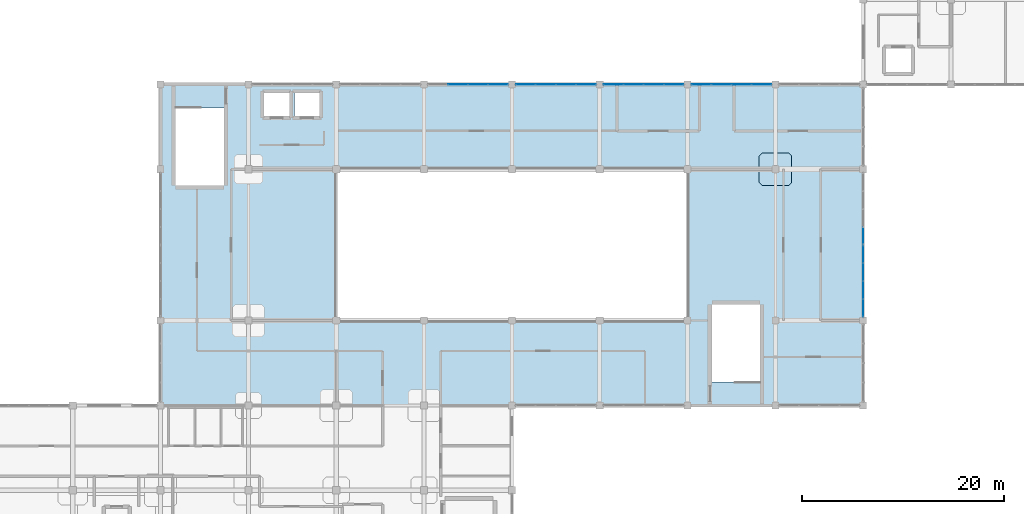
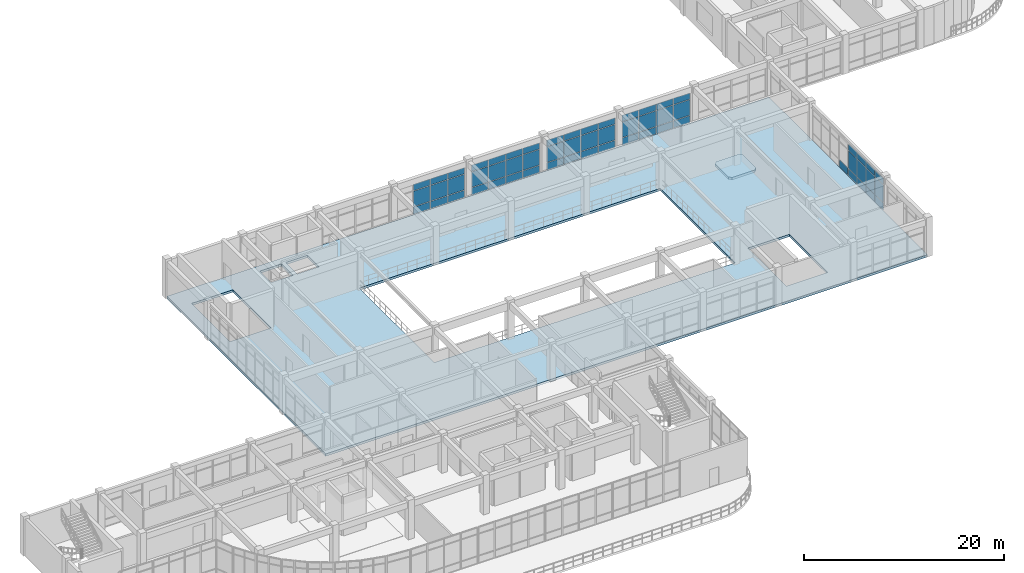
# One storey, part 51 of 64: 58 plates, 2 slabs, 6 elements without a shape of their own.
"""IFC4 building model written with IfcOpenShell, lengths in metres."""

from ifc_helpers import new_model, si_unit, derived_unit, direction, frame, origin, origin_2d, place, context, subcontext, project, spatial, polyline, rectangle, outline, extrude, material, layer, layer_set, type_object, element, aggregate, save


model = new_model("IFC4")

# Units and contexts
model_context = context("Model", 3, precision=1e-05, world=origin(), true_north=direction((0.0, 1.0)))
body_context = subcontext(model_context, "Body", "Model", "MODEL_VIEW")
ifc_project = project(units=[si_unit("LENGTHUNIT", "METRE"), si_unit("AREAUNIT", "SQUARE_METRE"), si_unit("VOLUMEUNIT", "CUBIC_METRE"), si_unit("PLANEANGLEUNIT", "RADIAN"), si_unit("MASSUNIT", "GRAM", prefix="KILO"), derived_unit("THERMALTRANSMITTANCEUNIT", [(si_unit("MASSUNIT", "GRAM", prefix="KILO"), 1), (si_unit("TIMEUNIT", "SECOND"), -3), (si_unit("THERMODYNAMICTEMPERATUREUNIT", "KELVIN"), -1)])], contexts=[model_context])

# Site, building, storey
site_placement = place(None, origin())
site = spatial("IfcSite", under=ifc_project, at=site_placement, CompositionType="ELEMENT")
building_placement = place(site_placement, origin())
building = spatial("IfcBuilding", under=site, at=building_placement, Name="Qinzheling Arcade Emporium", CompositionType="ELEMENT")
storey_placement = place(building_placement, frame((0.0, 0.0, 31.5)))
storey = spatial("IfcBuildingStorey", under=building, at=storey_placement, Name="L07", CompositionType="ELEMENT", Elevation=31.5)

# Slab
ifc_material_1 = material(Name="Concrete C40", Category="concrete")
ifc_layer_1 = layer(ifc_material_1, 0.300048828125, Name="Concrete C40", Category="concrete")
ifc_layer_set_1 = layer_set([ifc_layer_1], Name="Concrete C40")
slab_type_1 = type_object("IfcSlabType", Name="Column Head Drop Panel 3200x3200x300 C40", PredefinedType="USERDEFINED", material=ifc_layer_set_1)
slab_1_placement = place(storey_placement, frame((0.0, 0.0, -0.580078125)))
element("IfcSlab", 1, at=slab_1_placement, inside=storey, type_object=slab_type_1, Name="Column Drop Panel DP-L07-12-H", ObjectType="DROP_PANEL", PredefinedType="USERDEFINED", context=body_context, shape_type="SweptSolid", body=[
    extrude(outline(polyline([(94.3798828125, 63.800048828125), (97.02001953125, 63.800048828125), (97.300048828125, 64.080078125), (97.300048828125, 66.719970703125), (97.02001953125, 67.0), (94.3798828125, 67.0), (94.10009765625, 66.719970703125), (94.10009765625, 64.080078125), (94.3798828125, 63.800048828125)])), origin(), (0.0, 0.0, 1.0), 0.300048828125),
])

# Curtain wall, plates
ifc_material_2 = material(Name="Anodised aluminium and solar-control double glazing", Category="aluminium")
ifc_layer_2 = layer(ifc_material_2, 0.159912109375, Name="Anodised aluminium and solar-control double glazing", Category="aluminium")
ifc_layer_set_2 = layer_set([ifc_layer_2], Name="Anodised aluminium and solar-control double glazing")
curtain_wall_type = type_object("IfcCurtainWallType", Name="Atrium Clerestory Curtain Wall", PredefinedType="NOTDEFINED", material=ifc_layer_set_2)
curtain_wall_1_placement = place(storey_placement, origin())
curtain_wall_1 = element("IfcCurtainWall", 2, at=curtain_wall_1_placement, inside=storey, type_object=curtain_wall_type, Name="Curtain Wall CW-L07-426", PredefinedType="NOTDEFINED")
ifc_material_3 = material(Name="Laminated solar-control double glazing", Category="glass")
ifc_layer_3 = layer(ifc_material_3, 0.02099609375, Name="Laminated solar-control double glazing", Category="glass")
ifc_layer_set_3 = layer_set([ifc_layer_3], Name="Laminated solar-control double glazing")
plate_type_1 = type_object("IfcPlateType", Name="Low-E Double Glazed Curtain Panel 21mm", PredefinedType="CURTAIN_PANEL", material=ifc_layer_set_3)
plate_1_placement = place(storey_placement, frame((104.39990234375, 56.98974609375, 0.06005859375), z_axis=(0.0, 0.0, 1.0), x_axis=(0.0, -1.0, 0.0)))
plate_1 = element("IfcPlate", 3, at=plate_1_placement, type_object=plate_type_1, Name="CW03 panel 1.1", PredefinedType="CURTAIN_PANEL", context=body_context, shape_type="SweptSolid", body=[
    extrude(rectangle(XDim=1.696533203125, YDim=0.02099609375, at=origin_2d()), origin(), (0.0, 0.0, 1.0), 0.860107421875),
])
plate_2_placement = place(storey_placement, frame((104.39990234375, 56.98974609375, 0.97998046875), z_axis=(0.0, 0.0, 1.0), x_axis=(0.0, -1.0, 0.0)))
plate_2 = element("IfcPlate", 4, at=plate_2_placement, type_object=plate_type_1, Name="CW03 panel 1.2", PredefinedType="CURTAIN_PANEL", context=body_context, shape_type="SweptSolid", body=[
    extrude(rectangle(XDim=1.696533203125, YDim=0.02099609375, at=origin_2d()), origin(), (0.0, 0.0, 1.0), 2.156982421875),
])
plate_3_placement = place(storey_placement, frame((104.39990234375, 56.98974609375, 3.19677734375), z_axis=(0.0, 0.0, 1.0), x_axis=(0.0, -1.0, 0.0)))
plate_3 = element("IfcPlate", 5, at=plate_3_placement, type_object=plate_type_1, Name="CW03 panel 1.3", PredefinedType="CURTAIN_PANEL", context=body_context, shape_type="SweptSolid", body=[
    extrude(rectangle(XDim=1.696533203125, YDim=0.02099609375, at=origin_2d()), origin(), (0.0, 0.0, 1.0), 0.760009765625),
])
plate_4_placement = place(storey_placement, frame((104.39990234375, 55.21826171875, 0.06005859375), z_axis=(0.0, 0.0, 1.0), x_axis=(0.0, -1.0, 0.0)))
plate_4 = element("IfcPlate", 6, at=plate_4_placement, type_object=plate_type_1, Name="CW03 panel 2.1", PredefinedType="CURTAIN_PANEL", context=body_context, shape_type="SweptSolid", body=[
    extrude(rectangle(XDim=1.7265625, YDim=0.02099609375, at=origin_2d()), origin(), (0.0, 0.0, 1.0), 0.860107421875),
])
plate_5_placement = place(storey_placement, frame((104.39990234375, 55.21826171875, 0.97998046875), z_axis=(0.0, 0.0, 1.0), x_axis=(0.0, -1.0, 0.0)))
plate_5 = element("IfcPlate", 7, at=plate_5_placement, type_object=plate_type_1, Name="CW03 panel 2.2", PredefinedType="CURTAIN_PANEL", context=body_context, shape_type="SweptSolid", body=[
    extrude(rectangle(XDim=1.7265625, YDim=0.02099609375, at=origin_2d()), origin(), (0.0, 0.0, 1.0), 2.156982421875),
])
plate_6_placement = place(storey_placement, frame((104.39990234375, 55.21826171875, 3.19677734375), z_axis=(0.0, 0.0, 1.0), x_axis=(0.0, -1.0, 0.0)))
plate_6 = element("IfcPlate", 8, at=plate_6_placement, type_object=plate_type_1, Name="CW03 panel 2.3", PredefinedType="CURTAIN_PANEL", context=body_context, shape_type="SweptSolid", body=[
    extrude(rectangle(XDim=1.7265625, YDim=0.02099609375, at=origin_2d()), origin(), (0.0, 0.0, 1.0), 0.760009765625),
])
plate_7_placement = place(storey_placement, frame((104.39990234375, 53.431640625, 0.06005859375), z_axis=(0.0, 0.0, 1.0), x_axis=(0.0, -1.0, 0.0)))
plate_7 = element("IfcPlate", 9, at=plate_7_placement, type_object=plate_type_1, Name="CW03 panel 3.1", PredefinedType="CURTAIN_PANEL", context=body_context, shape_type="SweptSolid", body=[
    extrude(rectangle(XDim=1.7265625, YDim=0.02099609375, at=origin_2d()), origin(), (0.0, 0.0, 1.0), 0.860107421875),
])
plate_8_placement = place(storey_placement, frame((104.39990234375, 53.431640625, 0.97998046875), z_axis=(0.0, 0.0, 1.0), x_axis=(0.0, -1.0, 0.0)))
plate_8 = element("IfcPlate", 10, at=plate_8_placement, type_object=plate_type_1, Name="CW03 panel 3.2", PredefinedType="CURTAIN_PANEL", context=body_context, shape_type="SweptSolid", body=[
    extrude(rectangle(XDim=1.7265625, YDim=0.02099609375, at=origin_2d()), origin(), (0.0, 0.0, 1.0), 2.156982421875),
])
plate_9_placement = place(storey_placement, frame((104.39990234375, 53.431640625, 3.19677734375), z_axis=(0.0, 0.0, 1.0), x_axis=(0.0, -1.0, 0.0)))
plate_9 = element("IfcPlate", 11, at=plate_9_placement, type_object=plate_type_1, Name="CW03 panel 3.3", PredefinedType="CURTAIN_PANEL", context=body_context, shape_type="SweptSolid", body=[
    extrude(rectangle(XDim=1.7265625, YDim=0.02099609375, at=origin_2d()), origin(), (0.0, 0.0, 1.0), 0.760009765625),
])
plate_10_placement = place(storey_placement, frame((104.39990234375, 51.66015625, 0.06005859375), z_axis=(0.0, 0.0, 1.0), x_axis=(0.0, -1.0, 0.0)))
plate_10 = element("IfcPlate", 12, at=plate_10_placement, type_object=plate_type_1, Name="CW03 panel 4.1", PredefinedType="CURTAIN_PANEL", context=body_context, shape_type="SweptSolid", body=[
    extrude(rectangle(XDim=1.696533203125, YDim=0.02099609375, at=origin_2d()), origin(), (0.0, 0.0, 1.0), 0.860107421875),
])
plate_11_placement = place(storey_placement, frame((104.39990234375, 51.66015625, 0.97998046875), z_axis=(0.0, 0.0, 1.0), x_axis=(0.0, -1.0, 0.0)))
plate_11 = element("IfcPlate", 13, at=plate_11_placement, type_object=plate_type_1, Name="CW03 panel 4.2", PredefinedType="CURTAIN_PANEL", context=body_context, shape_type="SweptSolid", body=[
    extrude(rectangle(XDim=1.696533203125, YDim=0.02099609375, at=origin_2d()), origin(), (0.0, 0.0, 1.0), 2.156982421875),
])
plate_12_placement = place(storey_placement, frame((104.39990234375, 51.66015625, 3.19677734375), z_axis=(0.0, 0.0, 1.0), x_axis=(0.0, -1.0, 0.0)))
plate_12 = element("IfcPlate", 14, at=plate_12_placement, type_object=plate_type_1, Name="CW03 panel 4.3", PredefinedType="CURTAIN_PANEL", context=body_context, shape_type="SweptSolid", body=[
    extrude(rectangle(XDim=1.696533203125, YDim=0.02099609375, at=origin_2d()), origin(), (0.0, 0.0, 1.0), 0.760009765625),
])
aggregate(curtain_wall_1, [plate_1, plate_2, plate_3, plate_4, plate_5, plate_6, plate_7, plate_8, plate_9, plate_10, plate_11, plate_12])

curtain_wall_2_placement = place(storey_placement, origin())
curtain_wall_2 = element("IfcCurtainWall", 15, at=curtain_wall_2_placement, inside=storey, type_object=curtain_wall_type, Name="Curtain Wall CW-L07-419", PredefinedType="NOTDEFINED")
ifc_layer_4 = layer(ifc_material_3, 0.031005859375, Name="Laminated solar-control double glazing", Category="glass")
ifc_layer_set_4 = layer_set([ifc_layer_4], Name="Laminated solar-control double glazing")
plate_type_2 = type_object("IfcPlateType", Name="Low-E Double Glazed Curtain Panel 31mm", PredefinedType="CURTAIN_PANEL", material=ifc_layer_set_4)
plate_13_placement = place(storey_placement, frame((64.25048828125, 73.800048828125, 0.06005859375), z_axis=(0.0, 0.0, 1.0), x_axis=(1.0, 0.0, 0.0)))
plate_13 = element("IfcPlate", 16, at=plate_13_placement, type_object=plate_type_2, Name="CW03 panel 2.1", PredefinedType="CURTAIN_PANEL", context=body_context, shape_type="SweptSolid", body=[
    extrude(rectangle(XDim=1.93896484375, YDim=0.031005859375, at=origin_2d()), origin(), (0.0, 0.0, 1.0), 0.860107421875),
])
plate_14_placement = place(storey_placement, frame((64.25048828125, 73.800048828125, 0.97998046875), z_axis=(0.0, 0.0, 1.0), x_axis=(1.0, 0.0, 0.0)))
plate_14 = element("IfcPlate", 17, at=plate_14_placement, type_object=plate_type_2, Name="CW03 panel 2.2", PredefinedType="CURTAIN_PANEL", context=body_context, shape_type="SweptSolid", body=[
    extrude(rectangle(XDim=1.93896484375, YDim=0.031005859375, at=origin_2d()), origin(), (0.0, 0.0, 1.0), 1.89501953125),
])
plate_15_placement = place(storey_placement, frame((64.25048828125, 73.800048828125, 2.93505859375), z_axis=(0.0, 0.0, 1.0), x_axis=(1.0, 0.0, 0.0)))
plate_15 = element("IfcPlate", 18, at=plate_15_placement, type_object=plate_type_2, Name="CW03 panel 2.3", PredefinedType="CURTAIN_PANEL", context=body_context, shape_type="SweptSolid", body=[
    extrude(rectangle(XDim=1.93896484375, YDim=0.031005859375, at=origin_2d()), origin(), (0.0, 0.0, 1.0), 0.760009765625),
])
plate_16_placement = place(storey_placement, frame((66.24951171875, 73.800048828125, 0.06005859375), z_axis=(0.0, 0.0, 1.0), x_axis=(1.0, 0.0, 0.0)))
plate_16 = element("IfcPlate", 19, at=plate_16_placement, type_object=plate_type_2, Name="CW03 panel 3.1", PredefinedType="CURTAIN_PANEL", context=body_context, shape_type="SweptSolid", body=[
    extrude(rectangle(XDim=1.93896484375, YDim=0.031005859375, at=origin_2d()), origin(), (0.0, 0.0, 1.0), 0.860107421875),
])
plate_17_placement = place(storey_placement, frame((66.24951171875, 73.800048828125, 0.97998046875), z_axis=(0.0, 0.0, 1.0), x_axis=(1.0, 0.0, 0.0)))
plate_17 = element("IfcPlate", 20, at=plate_17_placement, type_object=plate_type_2, Name="CW03 panel 3.2", PredefinedType="CURTAIN_PANEL", context=body_context, shape_type="SweptSolid", body=[
    extrude(rectangle(XDim=1.93896484375, YDim=0.031005859375, at=origin_2d()), origin(), (0.0, 0.0, 1.0), 1.89501953125),
])
plate_18_placement = place(storey_placement, frame((66.24951171875, 73.800048828125, 2.93505859375), z_axis=(0.0, 0.0, 1.0), x_axis=(1.0, 0.0, 0.0)))
plate_18 = element("IfcPlate", 21, at=plate_18_placement, type_object=plate_type_2, Name="CW03 panel 3.3", PredefinedType="CURTAIN_PANEL", context=body_context, shape_type="SweptSolid", body=[
    extrude(rectangle(XDim=1.93896484375, YDim=0.031005859375, at=origin_2d()), origin(), (0.0, 0.0, 1.0), 0.760009765625),
])
plate_19_placement = place(storey_placement, frame((68.2333984375, 73.800048828125, 0.06005859375), z_axis=(0.0, 0.0, 1.0), x_axis=(1.0, 0.0, 0.0)))
plate_19 = element("IfcPlate", 22, at=plate_19_placement, type_object=plate_type_2, Name="CW03 panel 4.1", PredefinedType="CURTAIN_PANEL", context=body_context, shape_type="SweptSolid", body=[
    extrude(rectangle(XDim=1.908935546875, YDim=0.031005859375, at=origin_2d()), origin(), (0.0, 0.0, 1.0), 0.860107421875),
])
plate_20_placement = place(storey_placement, frame((68.2333984375, 73.800048828125, 0.97998046875), z_axis=(0.0, 0.0, 1.0), x_axis=(1.0, 0.0, 0.0)))
plate_20 = element("IfcPlate", 23, at=plate_20_placement, type_object=plate_type_2, Name="CW03 panel 4.2", PredefinedType="CURTAIN_PANEL", context=body_context, shape_type="SweptSolid", body=[
    extrude(rectangle(XDim=1.908935546875, YDim=0.031005859375, at=origin_2d()), origin(), (0.0, 0.0, 1.0), 1.89501953125),
])
plate_21_placement = place(storey_placement, frame((68.2333984375, 73.800048828125, 2.93505859375), z_axis=(0.0, 0.0, 1.0), x_axis=(1.0, 0.0, 0.0)))
plate_21 = element("IfcPlate", 24, at=plate_21_placement, type_object=plate_type_2, Name="CW03 panel 4.3", PredefinedType="CURTAIN_PANEL", context=body_context, shape_type="SweptSolid", body=[
    extrude(rectangle(XDim=1.908935546875, YDim=0.031005859375, at=origin_2d()), origin(), (0.0, 0.0, 1.0), 0.760009765625),
])
aggregate(curtain_wall_2, [plate_13, plate_14, plate_15, plate_16, plate_17, plate_18, plate_19, plate_20, plate_21])

curtain_wall_3_placement = place(storey_placement, origin())
curtain_wall_3 = element("IfcCurtainWall", 25, at=curtain_wall_3_placement, inside=storey, type_object=curtain_wall_type, Name="Curtain Wall CW-L07-420", PredefinedType="NOTDEFINED")
ifc_layer_5 = layer(ifc_material_3, 0.031982421875, Name="Laminated solar-control double glazing", Category="glass")
ifc_layer_set_5 = layer_set([ifc_layer_5], Name="Laminated solar-control double glazing")
plate_type_3 = type_object("IfcPlateType", Name="Low-E Double Glazed Curtain Panel 32mm", PredefinedType="CURTAIN_PANEL", material=ifc_layer_set_5)
plate_22_placement = place(storey_placement, frame((70.966552734375, 73.800048828125, 0.06005859375), z_axis=(0.0, 0.0, 1.0), x_axis=(1.0, 0.0, 0.0)))
plate_22 = element("IfcPlate", 26, at=plate_22_placement, type_object=plate_type_3, Name="CW03 panel 1.1", PredefinedType="CURTAIN_PANEL", context=body_context, shape_type="SweptSolid", body=[
    extrude(rectangle(XDim=1.908935546875, YDim=0.031982421875, at=origin_2d()), origin(), (0.0, 0.0, 1.0), 0.860107421875),
])
plate_23_placement = place(storey_placement, frame((70.966552734375, 73.800048828125, 0.97998046875), z_axis=(0.0, 0.0, 1.0), x_axis=(1.0, 0.0, 0.0)))
plate_23 = element("IfcPlate", 27, at=plate_23_placement, type_object=plate_type_3, Name="CW03 panel 1.2", PredefinedType="CURTAIN_PANEL", context=body_context, shape_type="SweptSolid", body=[
    extrude(rectangle(XDim=1.908935546875, YDim=0.031982421875, at=origin_2d()), origin(), (0.0, 0.0, 1.0), 1.89501953125),
])
plate_24_placement = place(storey_placement, frame((70.966552734375, 73.800048828125, 2.93505859375), z_axis=(0.0, 0.0, 1.0), x_axis=(1.0, 0.0, 0.0)))
plate_24 = element("IfcPlate", 28, at=plate_24_placement, type_object=plate_type_3, Name="CW03 panel 1.3", PredefinedType="CURTAIN_PANEL", context=body_context, shape_type="SweptSolid", body=[
    extrude(rectangle(XDim=1.908935546875, YDim=0.031982421875, at=origin_2d()), origin(), (0.0, 0.0, 1.0), 0.760009765625),
])
plate_25_placement = place(storey_placement, frame((72.950439453125, 73.800048828125, 0.06005859375), z_axis=(0.0, 0.0, 1.0), x_axis=(1.0, 0.0, 0.0)))
plate_25 = element("IfcPlate", 29, at=plate_25_placement, type_object=plate_type_3, Name="CW03 panel 2.1", PredefinedType="CURTAIN_PANEL", context=body_context, shape_type="SweptSolid", body=[
    extrude(rectangle(XDim=1.93896484375, YDim=0.031982421875, at=origin_2d()), origin(), (0.0, 0.0, 1.0), 0.860107421875),
])
plate_26_placement = place(storey_placement, frame((72.950439453125, 73.800048828125, 0.97998046875), z_axis=(0.0, 0.0, 1.0), x_axis=(1.0, 0.0, 0.0)))
plate_26 = element("IfcPlate", 30, at=plate_26_placement, type_object=plate_type_3, Name="CW03 panel 2.2", PredefinedType="CURTAIN_PANEL", context=body_context, shape_type="SweptSolid", body=[
    extrude(rectangle(XDim=1.93896484375, YDim=0.031982421875, at=origin_2d()), origin(), (0.0, 0.0, 1.0), 1.89501953125),
])
plate_27_placement = place(storey_placement, frame((72.950439453125, 73.800048828125, 2.93505859375), z_axis=(0.0, 0.0, 1.0), x_axis=(1.0, 0.0, 0.0)))
plate_27 = element("IfcPlate", 31, at=plate_27_placement, type_object=plate_type_3, Name="CW03 panel 2.3", PredefinedType="CURTAIN_PANEL", context=body_context, shape_type="SweptSolid", body=[
    extrude(rectangle(XDim=1.93896484375, YDim=0.031982421875, at=origin_2d()), origin(), (0.0, 0.0, 1.0), 0.760009765625),
])
plate_28_placement = place(storey_placement, frame((74.949462890625, 73.800048828125, 0.06005859375), z_axis=(0.0, 0.0, 1.0), x_axis=(1.0, 0.0, 0.0)))
plate_28 = element("IfcPlate", 32, at=plate_28_placement, type_object=plate_type_3, Name="CW03 panel 3.1", PredefinedType="CURTAIN_PANEL", context=body_context, shape_type="SweptSolid", body=[
    extrude(rectangle(XDim=1.93896484375, YDim=0.031982421875, at=origin_2d()), origin(), (0.0, 0.0, 1.0), 0.860107421875),
])
plate_29_placement = place(storey_placement, frame((74.949462890625, 73.800048828125, 0.97998046875), z_axis=(0.0, 0.0, 1.0), x_axis=(1.0, 0.0, 0.0)))
plate_29 = element("IfcPlate", 33, at=plate_29_placement, type_object=plate_type_3, Name="CW03 panel 3.2", PredefinedType="CURTAIN_PANEL", context=body_context, shape_type="SweptSolid", body=[
    extrude(rectangle(XDim=1.93896484375, YDim=0.031982421875, at=origin_2d()), origin(), (0.0, 0.0, 1.0), 1.89501953125),
])
plate_30_placement = place(storey_placement, frame((74.949462890625, 73.800048828125, 2.93505859375), z_axis=(0.0, 0.0, 1.0), x_axis=(1.0, 0.0, 0.0)))
plate_30 = element("IfcPlate", 34, at=plate_30_placement, type_object=plate_type_3, Name="CW03 panel 3.3", PredefinedType="CURTAIN_PANEL", context=body_context, shape_type="SweptSolid", body=[
    extrude(rectangle(XDim=1.93896484375, YDim=0.031982421875, at=origin_2d()), origin(), (0.0, 0.0, 1.0), 0.760009765625),
])
plate_31_placement = place(storey_placement, frame((76.93359375, 73.800048828125, 0.06005859375), z_axis=(0.0, 0.0, 1.0), x_axis=(1.0, 0.0, 0.0)))
plate_31 = element("IfcPlate", 35, at=plate_31_placement, type_object=plate_type_3, Name="CW03 panel 4.1", PredefinedType="CURTAIN_PANEL", context=body_context, shape_type="SweptSolid", body=[
    extrude(rectangle(XDim=1.908935546875, YDim=0.031982421875, at=origin_2d()), origin(), (0.0, 0.0, 1.0), 0.860107421875),
])
plate_32_placement = place(storey_placement, frame((76.93359375, 73.800048828125, 0.97998046875), z_axis=(0.0, 0.0, 1.0), x_axis=(1.0, 0.0, 0.0)))
plate_32 = element("IfcPlate", 36, at=plate_32_placement, type_object=plate_type_3, Name="CW03 panel 4.2", PredefinedType="CURTAIN_PANEL", context=body_context, shape_type="SweptSolid", body=[
    extrude(rectangle(XDim=1.908935546875, YDim=0.031982421875, at=origin_2d()), origin(), (0.0, 0.0, 1.0), 1.89501953125),
])
plate_33_placement = place(storey_placement, frame((76.93359375, 73.800048828125, 2.93505859375), z_axis=(0.0, 0.0, 1.0), x_axis=(1.0, 0.0, 0.0)))
plate_33 = element("IfcPlate", 37, at=plate_33_placement, type_object=plate_type_3, Name="CW03 panel 4.3", PredefinedType="CURTAIN_PANEL", context=body_context, shape_type="SweptSolid", body=[
    extrude(rectangle(XDim=1.908935546875, YDim=0.031982421875, at=origin_2d()), origin(), (0.0, 0.0, 1.0), 0.760009765625),
])
aggregate(curtain_wall_3, [plate_22, plate_23, plate_24, plate_25, plate_26, plate_27, plate_28, plate_29, plate_30, plate_31, plate_32, plate_33])

curtain_wall_4_placement = place(storey_placement, origin())
curtain_wall_4 = element("IfcCurtainWall", 38, at=curtain_wall_4_placement, inside=storey, type_object=curtain_wall_type, Name="Curtain Wall CW-L07-421", PredefinedType="NOTDEFINED")
ifc_layer_6 = layer(ifc_material_3, 0.033935546875, Name="Laminated solar-control double glazing", Category="glass")
ifc_layer_set_6 = layer_set([ifc_layer_6], Name="Laminated solar-control double glazing")
plate_type_4 = type_object("IfcPlateType", Name="Low-E Double Glazed Curtain Panel 34mm", PredefinedType="CURTAIN_PANEL", material=ifc_layer_set_6)
plate_34_placement = place(storey_placement, frame((79.66650390625, 73.800048828125, 0.06005859375), z_axis=(0.0, 0.0, 1.0), x_axis=(1.0, 0.0, 0.0)))
plate_34 = element("IfcPlate", 39, at=plate_34_placement, type_object=plate_type_4, Name="CW03 panel 1.1", PredefinedType="CURTAIN_PANEL", context=body_context, shape_type="SweptSolid", body=[
    extrude(rectangle(XDim=1.908935546875, YDim=0.033935546875, at=origin_2d()), origin(), (0.0, 0.0, 1.0), 0.860107421875),
])
plate_35_placement = place(storey_placement, frame((79.66650390625, 73.800048828125, 0.97998046875), z_axis=(0.0, 0.0, 1.0), x_axis=(1.0, 0.0, 0.0)))
plate_35 = element("IfcPlate", 40, at=plate_35_placement, type_object=plate_type_4, Name="CW03 panel 1.2", PredefinedType="CURTAIN_PANEL", context=body_context, shape_type="SweptSolid", body=[
    extrude(rectangle(XDim=1.908935546875, YDim=0.033935546875, at=origin_2d()), origin(), (0.0, 0.0, 1.0), 1.89501953125),
])
plate_36_placement = place(storey_placement, frame((79.66650390625, 73.800048828125, 2.93505859375), z_axis=(0.0, 0.0, 1.0), x_axis=(1.0, 0.0, 0.0)))
plate_36 = element("IfcPlate", 41, at=plate_36_placement, type_object=plate_type_4, Name="CW03 panel 1.3", PredefinedType="CURTAIN_PANEL", context=body_context, shape_type="SweptSolid", body=[
    extrude(rectangle(XDim=1.908935546875, YDim=0.033935546875, at=origin_2d()), origin(), (0.0, 0.0, 1.0), 0.760009765625),
])
plate_37_placement = place(storey_placement, frame((81.650390625, 73.800048828125, 0.06005859375), z_axis=(0.0, 0.0, 1.0), x_axis=(1.0, 0.0, 0.0)))
plate_37 = element("IfcPlate", 42, at=plate_37_placement, type_object=plate_type_4, Name="CW03 panel 2.1", PredefinedType="CURTAIN_PANEL", context=body_context, shape_type="SweptSolid", body=[
    extrude(rectangle(XDim=1.93896484375, YDim=0.033935546875, at=origin_2d()), origin(), (0.0, 0.0, 1.0), 0.860107421875),
])
plate_38_placement = place(storey_placement, frame((81.650390625, 73.800048828125, 0.97998046875), z_axis=(0.0, 0.0, 1.0), x_axis=(1.0, 0.0, 0.0)))
plate_38 = element("IfcPlate", 43, at=plate_38_placement, type_object=plate_type_4, Name="CW03 panel 2.2", PredefinedType="CURTAIN_PANEL", context=body_context, shape_type="SweptSolid", body=[
    extrude(rectangle(XDim=1.93896484375, YDim=0.033935546875, at=origin_2d()), origin(), (0.0, 0.0, 1.0), 1.89501953125),
])
plate_39_placement = place(storey_placement, frame((81.650390625, 73.800048828125, 2.93505859375), z_axis=(0.0, 0.0, 1.0), x_axis=(1.0, 0.0, 0.0)))
plate_39 = element("IfcPlate", 44, at=plate_39_placement, type_object=plate_type_4, Name="CW03 panel 2.3", PredefinedType="CURTAIN_PANEL", context=body_context, shape_type="SweptSolid", body=[
    extrude(rectangle(XDim=1.93896484375, YDim=0.033935546875, at=origin_2d()), origin(), (0.0, 0.0, 1.0), 0.760009765625),
])
plate_40_placement = place(storey_placement, frame((83.6494140625, 73.800048828125, 0.06005859375), z_axis=(0.0, 0.0, 1.0), x_axis=(1.0, 0.0, 0.0)))
plate_40 = element("IfcPlate", 45, at=plate_40_placement, type_object=plate_type_4, Name="CW03 panel 3.1", PredefinedType="CURTAIN_PANEL", context=body_context, shape_type="SweptSolid", body=[
    extrude(rectangle(XDim=1.93896484375, YDim=0.033935546875, at=origin_2d()), origin(), (0.0, 0.0, 1.0), 0.860107421875),
])
plate_41_placement = place(storey_placement, frame((83.6494140625, 73.800048828125, 0.97998046875), z_axis=(0.0, 0.0, 1.0), x_axis=(1.0, 0.0, 0.0)))
plate_41 = element("IfcPlate", 46, at=plate_41_placement, type_object=plate_type_4, Name="CW03 panel 3.2", PredefinedType="CURTAIN_PANEL", context=body_context, shape_type="SweptSolid", body=[
    extrude(rectangle(XDim=1.93896484375, YDim=0.033935546875, at=origin_2d()), origin(), (0.0, 0.0, 1.0), 1.89501953125),
])
plate_42_placement = place(storey_placement, frame((83.6494140625, 73.800048828125, 2.93505859375), z_axis=(0.0, 0.0, 1.0), x_axis=(1.0, 0.0, 0.0)))
plate_42 = element("IfcPlate", 47, at=plate_42_placement, type_object=plate_type_4, Name="CW03 panel 3.3", PredefinedType="CURTAIN_PANEL", context=body_context, shape_type="SweptSolid", body=[
    extrude(rectangle(XDim=1.93896484375, YDim=0.033935546875, at=origin_2d()), origin(), (0.0, 0.0, 1.0), 0.760009765625),
])
plate_43_placement = place(storey_placement, frame((85.633544921875, 73.800048828125, 0.06005859375), z_axis=(0.0, 0.0, 1.0), x_axis=(1.0, 0.0, 0.0)))
plate_43 = element("IfcPlate", 48, at=plate_43_placement, type_object=plate_type_4, Name="CW03 panel 4.1", PredefinedType="CURTAIN_PANEL", context=body_context, shape_type="SweptSolid", body=[
    extrude(rectangle(XDim=1.908935546875, YDim=0.033935546875, at=origin_2d()), origin(), (0.0, 0.0, 1.0), 0.860107421875),
])
plate_44_placement = place(storey_placement, frame((85.633544921875, 73.800048828125, 0.97998046875), z_axis=(0.0, 0.0, 1.0), x_axis=(1.0, 0.0, 0.0)))
plate_44 = element("IfcPlate", 49, at=plate_44_placement, type_object=plate_type_4, Name="CW03 panel 4.2", PredefinedType="CURTAIN_PANEL", context=body_context, shape_type="SweptSolid", body=[
    extrude(rectangle(XDim=1.908935546875, YDim=0.033935546875, at=origin_2d()), origin(), (0.0, 0.0, 1.0), 1.89501953125),
])
plate_45_placement = place(storey_placement, frame((85.633544921875, 73.800048828125, 2.93505859375), z_axis=(0.0, 0.0, 1.0), x_axis=(1.0, 0.0, 0.0)))
plate_45 = element("IfcPlate", 50, at=plate_45_placement, type_object=plate_type_4, Name="CW03 panel 4.3", PredefinedType="CURTAIN_PANEL", context=body_context, shape_type="SweptSolid", body=[
    extrude(rectangle(XDim=1.908935546875, YDim=0.033935546875, at=origin_2d()), origin(), (0.0, 0.0, 1.0), 0.760009765625),
])
aggregate(curtain_wall_4, [plate_34, plate_35, plate_36, plate_37, plate_38, plate_39, plate_40, plate_41, plate_42, plate_43, plate_44, plate_45])

curtain_wall_5_placement = place(storey_placement, origin())
curtain_wall_5 = element("IfcCurtainWall", 51, at=curtain_wall_5_placement, inside=storey, type_object=curtain_wall_type, Name="Curtain Wall CW-L07-422", PredefinedType="NOTDEFINED")
ifc_layer_7 = layer(ifc_material_3, 0.035888671875, Name="Laminated solar-control double glazing", Category="glass")
ifc_layer_set_7 = layer_set([ifc_layer_7], Name="Laminated solar-control double glazing")
plate_type_5 = type_object("IfcPlateType", Name="Low-E Double Glazed Curtain Panel 36mm", PredefinedType="CURTAIN_PANEL", material=ifc_layer_set_7)
plate_46_placement = place(storey_placement, frame((88.366455078125, 73.800048828125, 0.06005859375), z_axis=(0.0, 0.0, 1.0), x_axis=(1.0, 0.0, 0.0)))
plate_46 = element("IfcPlate", 52, at=plate_46_placement, type_object=plate_type_5, Name="CW03 panel 1.1", PredefinedType="CURTAIN_PANEL", context=body_context, shape_type="SweptSolid", body=[
    extrude(rectangle(XDim=1.908935546875, YDim=0.035888671875, at=origin_2d()), origin(), (0.0, 0.0, 1.0), 0.860107421875),
])
plate_47_placement = place(storey_placement, frame((88.366455078125, 73.800048828125, 0.97998046875), z_axis=(0.0, 0.0, 1.0), x_axis=(1.0, 0.0, 0.0)))
plate_47 = element("IfcPlate", 53, at=plate_47_placement, type_object=plate_type_5, Name="CW03 panel 1.2", PredefinedType="CURTAIN_PANEL", context=body_context, shape_type="SweptSolid", body=[
    extrude(rectangle(XDim=1.908935546875, YDim=0.035888671875, at=origin_2d()), origin(), (0.0, 0.0, 1.0), 1.89501953125),
])
plate_48_placement = place(storey_placement, frame((88.366455078125, 73.800048828125, 2.93505859375), z_axis=(0.0, 0.0, 1.0), x_axis=(1.0, 0.0, 0.0)))
plate_48 = element("IfcPlate", 54, at=plate_48_placement, type_object=plate_type_5, Name="CW03 panel 1.3", PredefinedType="CURTAIN_PANEL", context=body_context, shape_type="SweptSolid", body=[
    extrude(rectangle(XDim=1.908935546875, YDim=0.035888671875, at=origin_2d()), origin(), (0.0, 0.0, 1.0), 0.760009765625),
])
plate_49_placement = place(storey_placement, frame((90.3505859375, 73.800048828125, 0.06005859375), z_axis=(0.0, 0.0, 1.0), x_axis=(1.0, 0.0, 0.0)))
plate_49 = element("IfcPlate", 55, at=plate_49_placement, type_object=plate_type_5, Name="CW03 panel 2.1", PredefinedType="CURTAIN_PANEL", context=body_context, shape_type="SweptSolid", body=[
    extrude(rectangle(XDim=1.93896484375, YDim=0.035888671875, at=origin_2d()), origin(), (0.0, 0.0, 1.0), 0.860107421875),
])
plate_50_placement = place(storey_placement, frame((90.3505859375, 73.800048828125, 0.97998046875), z_axis=(0.0, 0.0, 1.0), x_axis=(1.0, 0.0, 0.0)))
plate_50 = element("IfcPlate", 56, at=plate_50_placement, type_object=plate_type_5, Name="CW03 panel 2.2", PredefinedType="CURTAIN_PANEL", context=body_context, shape_type="SweptSolid", body=[
    extrude(rectangle(XDim=1.93896484375, YDim=0.035888671875, at=origin_2d()), origin(), (0.0, 0.0, 1.0), 1.89501953125),
])
plate_51_placement = place(storey_placement, frame((90.3505859375, 73.800048828125, 2.93505859375), z_axis=(0.0, 0.0, 1.0), x_axis=(1.0, 0.0, 0.0)))
plate_51 = element("IfcPlate", 57, at=plate_51_placement, type_object=plate_type_5, Name="CW03 panel 2.3", PredefinedType="CURTAIN_PANEL", context=body_context, shape_type="SweptSolid", body=[
    extrude(rectangle(XDim=1.93896484375, YDim=0.035888671875, at=origin_2d()), origin(), (0.0, 0.0, 1.0), 0.760009765625),
])
plate_52_placement = place(storey_placement, frame((92.349609375, 73.800048828125, 0.06005859375), z_axis=(0.0, 0.0, 1.0), x_axis=(1.0, 0.0, 0.0)))
plate_52 = element("IfcPlate", 58, at=plate_52_placement, type_object=plate_type_5, Name="CW03 panel 3.1", PredefinedType="CURTAIN_PANEL", context=body_context, shape_type="SweptSolid", body=[
    extrude(rectangle(XDim=1.93896484375, YDim=0.035888671875, at=origin_2d()), origin(), (0.0, 0.0, 1.0), 0.860107421875),
])
plate_53_placement = place(storey_placement, frame((92.349609375, 73.800048828125, 0.97998046875), z_axis=(0.0, 0.0, 1.0), x_axis=(1.0, 0.0, 0.0)))
plate_53 = element("IfcPlate", 59, at=plate_53_placement, type_object=plate_type_5, Name="CW03 panel 3.2", PredefinedType="CURTAIN_PANEL", context=body_context, shape_type="SweptSolid", body=[
    extrude(rectangle(XDim=1.93896484375, YDim=0.035888671875, at=origin_2d()), origin(), (0.0, 0.0, 1.0), 1.89501953125),
])
plate_54_placement = place(storey_placement, frame((92.349609375, 73.800048828125, 2.93505859375), z_axis=(0.0, 0.0, 1.0), x_axis=(1.0, 0.0, 0.0)))
plate_54 = element("IfcPlate", 60, at=plate_54_placement, type_object=plate_type_5, Name="CW03 panel 3.3", PredefinedType="CURTAIN_PANEL", context=body_context, shape_type="SweptSolid", body=[
    extrude(rectangle(XDim=1.93896484375, YDim=0.035888671875, at=origin_2d()), origin(), (0.0, 0.0, 1.0), 0.760009765625),
])
plate_55_placement = place(storey_placement, frame((94.33349609375, 73.800048828125, 0.06005859375), z_axis=(0.0, 0.0, 1.0), x_axis=(1.0, 0.0, 0.0)))
plate_55 = element("IfcPlate", 61, at=plate_55_placement, type_object=plate_type_5, Name="CW03 panel 4.1", PredefinedType="CURTAIN_PANEL", context=body_context, shape_type="SweptSolid", body=[
    extrude(rectangle(XDim=1.908935546875, YDim=0.035888671875, at=origin_2d()), origin(), (0.0, 0.0, 1.0), 0.860107421875),
])
plate_56_placement = place(storey_placement, frame((94.33349609375, 73.800048828125, 0.97998046875), z_axis=(0.0, 0.0, 1.0), x_axis=(1.0, 0.0, 0.0)))
plate_56 = element("IfcPlate", 62, at=plate_56_placement, type_object=plate_type_5, Name="CW03 panel 4.2", PredefinedType="CURTAIN_PANEL", context=body_context, shape_type="SweptSolid", body=[
    extrude(rectangle(XDim=1.908935546875, YDim=0.035888671875, at=origin_2d()), origin(), (0.0, 0.0, 1.0), 1.89501953125),
])
plate_57_placement = place(storey_placement, frame((94.33349609375, 73.800048828125, 2.93505859375), z_axis=(0.0, 0.0, 1.0), x_axis=(1.0, 0.0, 0.0)))
plate_57 = element("IfcPlate", 63, at=plate_57_placement, type_object=plate_type_5, Name="CW03 panel 4.3", PredefinedType="CURTAIN_PANEL", context=body_context, shape_type="SweptSolid", body=[
    extrude(rectangle(XDim=1.908935546875, YDim=0.035888671875, at=origin_2d()), origin(), (0.0, 0.0, 1.0), 0.760009765625),
])
aggregate(curtain_wall_5, [plate_46, plate_47, plate_48, plate_49, plate_50, plate_51, plate_52, plate_53, plate_54, plate_55, plate_56, plate_57])

# Curtain wall, plate
curtain_wall_6_placement = place(storey_placement, origin())
curtain_wall_6 = element("IfcCurtainWall", 64, at=curtain_wall_6_placement, inside=storey, type_object=curtain_wall_type, Name="Curtain Wall CW-L07-425", PredefinedType="NOTDEFINED")
ifc_layer_8 = layer(ifc_material_3, 0.0419921875, Name="Laminated solar-control double glazing", Category="glass")
ifc_layer_set_8 = layer_set([ifc_layer_8], Name="Laminated solar-control double glazing")
plate_type_6 = type_object("IfcPlateType", Name="Low-E Double Glazed Curtain Panel 42mm", PredefinedType="CURTAIN_PANEL", material=ifc_layer_set_8)
plate_58_placement = place(storey_placement, frame((104.39990234375, 58.810302734375, 0.06005859375), z_axis=(0.0, 0.0, 1.0), x_axis=(0.0, -1.0, 0.0)))
plate_58 = element("IfcPlate", 65, at=plate_58_placement, type_object=plate_type_6, Name="CW03 panel 4.1", PredefinedType="CURTAIN_PANEL", context=body_context, shape_type="SweptSolid", body=[
    extrude(rectangle(XDim=1.696533203125, YDim=0.0419921875, at=origin_2d()), origin(), (0.0, 0.0, 1.0), 0.860107421875),
])
aggregate(curtain_wall_6, [plate_58])

# Slab
ifc_layer_9 = layer(ifc_material_1, 0.280029296875, Name="Concrete C40", Category="concrete")
ifc_layer_set_9 = layer_set([ifc_layer_9], Name="Concrete C40")
slab_type_2 = type_object("IfcSlabType", Name="Retail Two-Way Flat Slab 280 C40", PredefinedType="FLOOR", material=ifc_layer_set_9)
slab_2_placement = place(storey_placement, frame((0.0, 0.0, -0.280029296875)))
element("IfcSlab", 66, at=slab_2_placement, inside=storey, type_object=slab_type_2, Name="Floor Slab SLB-L07-V2", PredefinedType="FLOOR", context=body_context, shape_type="SweptSolid", body=[
    extrude(outline(polyline([(34.800048828125, 42.0), (104.39990234375, 42.0), (104.39990234375, 73.800048828125), (34.800048828125, 73.800048828125), (34.800048828125, 42.0)]), holes=[polyline([(94.18994140625, 44.324951171875), (89.39990234375, 44.324951171875), (89.39990234375, 52.0), (94.18994140625, 52.0), (94.18994140625, 44.324951171875)]), polyline([(87.0, 50.39990234375), (52.199951171875, 50.39990234375), (52.199951171875, 65.39990234375), (87.0, 65.39990234375), (87.0, 50.39990234375)]), polyline([(50.550048828125, 70.64990234375), (48.050048828125, 70.64990234375), (48.050048828125, 72.949951171875), (50.550048828125, 72.949951171875), (50.550048828125, 70.64990234375)]), polyline([(47.550048828125, 70.64990234375), (45.050048828125, 70.64990234375), (45.050048828125, 72.949951171875), (47.550048828125, 72.949951171875), (47.550048828125, 70.64990234375)]), polyline([(41.090087890625, 63.800048828125), (36.300048828125, 63.800048828125), (36.300048828125, 71.47509765625), (41.090087890625, 71.47509765625), (41.090087890625, 63.800048828125)])]), origin(), (0.0, 0.0, 1.0), 0.280029296875),
])

save(model, "model.ifc")
